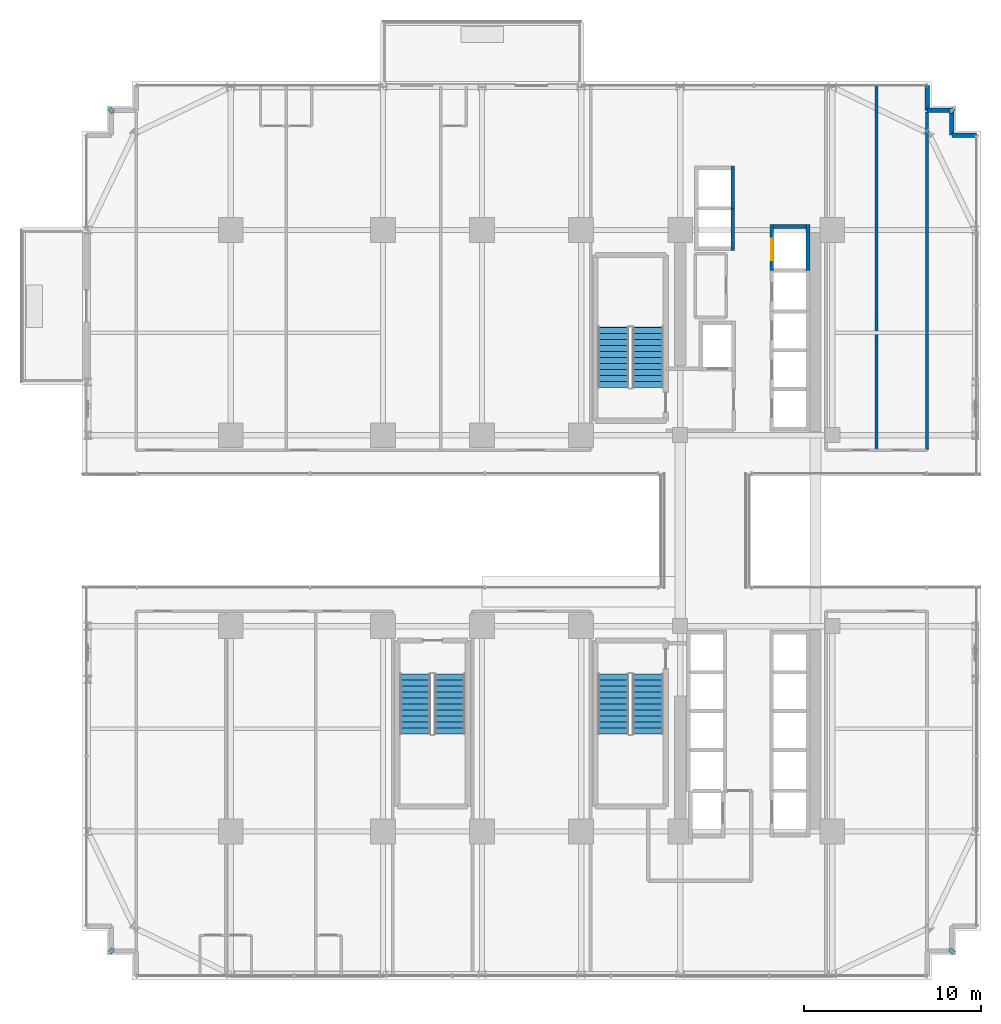
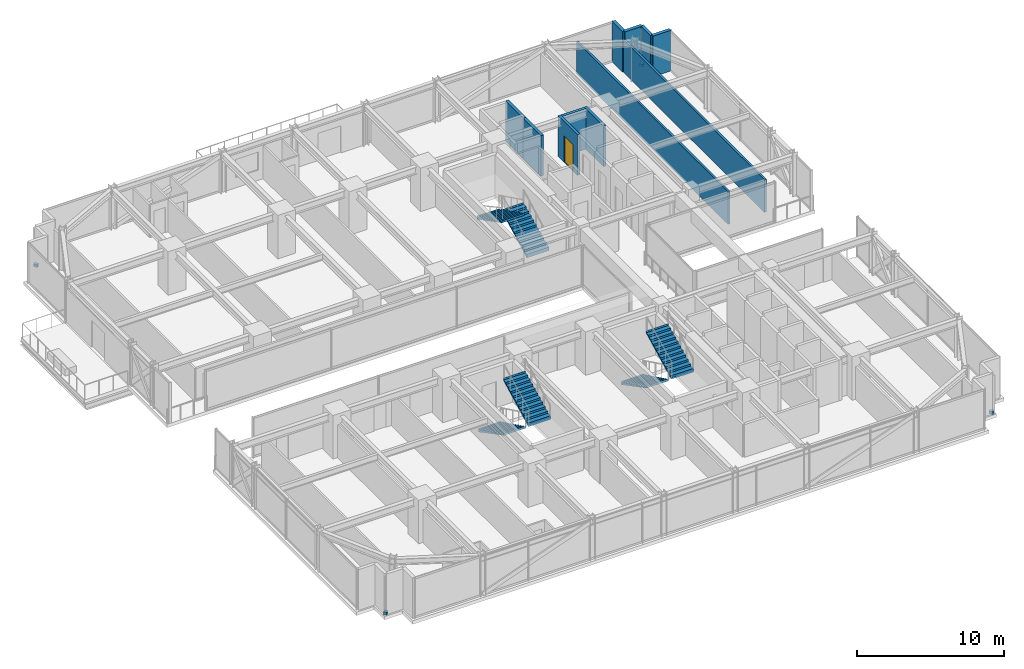
# One storey, part 39 of 43: 11 walls, 6 stair flights, 4 discrete accessories, 1 door, 1 opening, 3 elements without a shape of their own.
"""IFC4 building model written with IfcOpenShell, lengths in metres."""

from ifc_helpers import new_model, si_unit, direction, frame, frame_2d, origin, origin_2d, place, context, subcontext, project, spatial, polyline, rectangle, outline, extrude, source, transform, mapped, material, layer, layer_set, type_object, element, fill, aggregate, save


model = new_model("IFC4")

# Units and contexts
model_context = context("Model", 3, precision=1e-05, world=origin(), true_north=direction((0.0, 1.0)))
body_context = subcontext(model_context, "Body", "Model", "MODEL_VIEW")
ifc_project = project(units=[si_unit("LENGTHUNIT", "METRE"), si_unit("AREAUNIT", "SQUARE_METRE"), si_unit("VOLUMEUNIT", "CUBIC_METRE"), si_unit("PLANEANGLEUNIT", "RADIAN"), si_unit("MASSUNIT", "GRAM", prefix="KILO")], contexts=[model_context])

# Site, building, storey
site_placement = place(None, origin())
site = spatial("IfcSite", under=ifc_project, at=site_placement, CompositionType="ELEMENT")
building_placement = place(site_placement, origin())
building = spatial("IfcBuilding", under=site, at=building_placement, Name="Nahalor Promenade Grand Hotel", CompositionType="ELEMENT")
storey_placement = place(building_placement, frame((0.0, 0.0, 47.0)))
storey = spatial("IfcBuildingStorey", under=building, at=storey_placement, Name="L10", CompositionType="ELEMENT", Elevation=47.0)

# Walls
ifc_material_1 = material(Name="Concrete B-50 (C40/50)", Category="concrete")
ifc_layer_1 = layer(ifc_material_1, 0.219970703125)
ifc_layer_set_1 = layer_set([ifc_layer_1], Name="Concrete B-50 (C40/50)")
wall_type_1 = type_object("IfcWallType", Name="Wall-LiftShaft-220", PredefinedType="SHEAR", material=ifc_layer_set_1)
shared_shape_1 = source(origin(), body_context, "Body", "SweptSolid", [
    extrude(rectangle(XDim=1.820068359375, YDim=0.219970703125, at=frame_2d((0.91015625, 0.0))), origin(), (0.0, 0.0, 1.0), 3.3701171875),
])
wall_1_placement = place(storey_placement, frame((13.68994140625, 17.199951171875, 0.0), z_axis=(0.0, 0.0, 1.0), x_axis=(1.0, 0.0, 0.0)))
element("IfcWall", 1, at=wall_1_placement, inside=storey, type_object=wall_type_1, Name="L10 Lift SV1 Hoistway Wall N", PredefinedType="SHEAR", context=body_context, shape_type="MappedRepresentation", body=[
    mapped(shared_shape_1, transform((0.0, 0.0, 0.0), scale=1.0)),
])
shared_shape_2 = source(origin(), body_context, "Body", "SweptSolid", [
    extrude(rectangle(XDim=2.385009765625, YDim=0.219970703125, at=frame_2d((1.1923828125, 0.0))), origin(), (0.0, 0.0, 1.0), 3.3701171875),
])
for number, where, z_axis, x_axis, name in (
    (2, (11.3701171875, 15.840087890625, 0.0), (0.0, 0.0, 1.0), (0.0, 1.0, 0.0), "L10 Lift OB1 Hoistway Wall E"),
    (3, (11.3701171875, 18.22509765625, 0.0), (0.0, 0.0, 1.0), (0.0, 1.0, 0.0), "L10 Lift OB2 Hoistway Wall E"),
):
    element("IfcWall", number, at=place(storey_placement, frame(where, z_axis=z_axis, x_axis=x_axis)), inside=storey, type_object=wall_type_1, Name=name, PredefinedType="SHEAR", context=body_context, shape_type="MappedRepresentation", body=[
        mapped(shared_shape_2, transform((0.0, 0.0, 0.0), scale=1.0)),
    ])

# Wall, opening, door
shared_shape_3 = source(origin(), body_context, "Body", "SweptSolid", [
    extrude(rectangle(XDim=2.610107421875, YDim=0.219970703125, at=frame_2d((1.30517578125, 0.0))), origin(), (0.0, 0.0, 1.0), 3.3701171875),
])
wall_2_placement = place(storey_placement, frame((13.580078125, 14.699951171875, 0.0), z_axis=(0.0, 0.0, 1.0), x_axis=(0.0, 1.0, 0.0)))
wall_2 = element("IfcWall", 4, at=wall_2_placement, inside=storey, type_object=wall_type_1, Name="L10 Lift SV1 Hoistway Wall W", PredefinedType="SHEAR", context=body_context, shape_type="MappedRepresentation", body=[
    mapped(shared_shape_3, transform((0.0, 0.0, 0.0), scale=1.0)),
])
opening_placement = place(wall_2_placement, frame((0.60009765625, 0.0, 0.0)))
opening = element("IfcOpeningElement", 5, at=opening_placement, cuts=wall_2, Name="Opening LD-03", PredefinedType="OPENING", context=body_context, shape_type="SweptSolid", body=[
    extrude(rectangle(XDim=1.199951171875, YDim=2.199951171875, at=frame_2d((0.60009765625, 1.10009765625))), frame((0.0, 0.119873046875, 0.0), z_axis=(0.0, -1.0, 0.0), x_axis=(1.0, 0.0, 0.0)), (0.0, 0.0, 1.0), 0.239990234375),
])
ifc_material_2 = material(Name="Steel S355JR", Category="steel")
door_type = type_object("IfcDoorType", Name="Door-LiftService-1200", OperationType="DOUBLE_DOOR_SLIDING", PredefinedType="DOOR", material=ifc_material_2)
shared_shape_4 = source(origin(), body_context, "Body", "SweptSolid", [
    extrude(rectangle(XDim=1.199951171875, YDim=2.199951171875, at=frame_2d((0.60009765625, 1.10009765625))), frame((0.0, 0.02490234375, 0.0), z_axis=(0.0, -1.0, 0.0), x_axis=(1.0, 0.0, 0.0)), (0.0, 0.0, 1.0), 0.050048828125),
])
door_placement = place(opening_placement, origin())
door = element("IfcDoor", 6, at=door_placement, inside=storey, type_object=door_type, Name="DR-LIFT-SV1-L10", OperationType="DOUBLE_DOOR_SLIDING", OverallHeight=2.199951171875, OverallWidth=1.199951171875, PredefinedType="DOOR", context=body_context, shape_type="MappedRepresentation", body=[
    mapped(shared_shape_4, transform((0.0, 0.0, 0.0), scale=1.0)),
])
fill(opening, door)

# Walls
wall_3_placement = place(storey_placement, frame((15.6201171875, 14.699951171875, 0.0), z_axis=(0.0, 0.0, 1.0), x_axis=(0.0, 1.0, 0.0)))
element("IfcWall", 7, at=wall_3_placement, inside=storey, type_object=wall_type_1, Name="L10 Lift SV1 Hoistway Wall E", PredefinedType="SHEAR", context=body_context, shape_type="MappedRepresentation", body=[
    mapped(shared_shape_3, transform((0.0, 0.0, 0.0), scale=1.0)),
])
ifc_material_3 = material(Name="Concrete B-40 (C32/40)", Category="concrete")
ifc_layer_2 = layer(ifc_material_3, 0.25)
ifc_layer_set_2 = layer_set([ifc_layer_2], Name="Concrete B-40 (C32/40)")
wall_type_2 = type_object("IfcWallType", Name="Wall-BronzePier-250", PredefinedType="STANDARD", material=ifc_layer_set_2)
shared_shape_5 = source(origin(), body_context, "Body", "SweptSolid", [
    extrude(rectangle(XDim=1.39990234375, YDim=0.25, at=frame_2d((0.699951171875, 0.0))), origin(), (0.0, 0.0, 1.0), 3.3701171875),
])
for number, where, z_axis, x_axis, name in (
    (8, (23.760009765625, 22.360107421875, 0.0), (0.0, 0.0, 1.0), (1.0, 0.0, 0.0), "W-L10-SR-05"),
    (9, (23.760009765625, 22.360107421875, 0.0), (0.0, 0.0, 1.0), (0.0, 1.0, 0.0), "W-L10-SR-06"),
    (10, (22.360107421875, 23.760009765625, 0.0), (0.0, 0.0, 1.0), (1.0, 0.0, 0.0), "W-L10-SR-07"),
    (11, (22.360107421875, 23.760009765625, 0.0), (0.0, 0.0, 1.0), (0.0, 1.0, 0.0), "W-L10-SR-08"),
):
    element("IfcWall", number, at=place(storey_placement, frame(where, z_axis=z_axis, x_axis=x_axis)), inside=storey, type_object=wall_type_2, Name=name, PredefinedType="STANDARD", context=body_context, shape_type="MappedRepresentation", body=[
        mapped(shared_shape_5, transform((0.0, 0.0, 0.0), scale=1.0)),
    ])
ifc_material_4 = material(Name="Acoustic Mineral Gypsum", Category="gypsum")
ifc_layer_3 = layer(ifc_material_4, 0.159912109375)
ifc_layer_set_3 = layer_set([ifc_layer_3], Name="Acoustic Mineral Gypsum")
wall_type_3 = type_object("IfcWallType", Name="Wall-PartCorridor-160", PredefinedType="PARTITIONING", material=ifc_layer_set_3)
shared_shape_6 = source(origin(), body_context, "Body", "SweptSolid", [
    extrude(rectangle(XDim=20.550048828125, YDim=0.159912109375, at=frame_2d((10.27490234375, 0.0))), origin(), (0.0, 0.0, 1.0), 2.7099609375),
])
wall_4_placement = place(storey_placement, frame((19.5048828125, 4.550048828125, 0.0), z_axis=(0.0, 0.0, 1.0), x_axis=(0.0, 1.0, 0.0)))
element("IfcWall", 12, at=wall_4_placement, inside=storey, type_object=wall_type_3, Name="W-L10-ENE1-E", PredefinedType="PARTITIONING", context=body_context, shape_type="MappedRepresentation", body=[
    mapped(shared_shape_6, transform((0.0, 0.0, 0.0), scale=1.0)),
])
shared_shape_7 = source(origin(), body_context, "Body", "SweptSolid", [
    extrude(rectangle(XDim=19.1298828125, YDim=0.159912109375, at=frame_2d((9.56494140625, 0.0))), origin(), (0.0, 0.0, 1.0), 2.7099609375),
])
wall_5_placement = place(storey_placement, frame((22.360107421875, 4.550048828125, 0.0), z_axis=(0.0, 0.0, 1.0), x_axis=(0.0, 1.0, 0.0)))
element("IfcWall", 13, at=wall_5_placement, inside=storey, type_object=wall_type_3, Name="W-L10-ENE2-E", PredefinedType="PARTITIONING", context=body_context, shape_type="MappedRepresentation", body=[
    mapped(shared_shape_7, transform((0.0, 0.0, 0.0), scale=1.0)),
])

# Stair, stair flights
stair_type_1 = type_object("IfcStairType", Name="Stair-ST1", PredefinedType="HALF_TURN_STAIR", material=ifc_material_1)
stair_1_placement = place(storey_placement, origin())
stair_1 = element("IfcStair", 14, at=stair_1_placement, inside=storey, type_object=stair_type_1, Name="L10 ST1", PredefinedType="HALF_TURN_STAIR")
ifc_layer_4 = layer(ifc_material_1, 0.179931640625)
ifc_layer_set_4 = layer_set([ifc_layer_4], Name="Concrete B-50 (C40/50)")
stair_flight_type_1 = type_object("IfcStairFlightType", Name="Flight-ST1", PredefinedType="STRAIGHT", material=ifc_layer_set_4)
shared_shape_8 = source(origin(), body_context, "Body", "SweptSolid", [
    extrude(outline(polyline([(-0.00390625, -0.1201171875), (-0.00390625, 0.0), (0.0, 0.0), (0.0, 0.166015625), (0.340087890625, 0.166015625), (0.340087890625, 0.331787109375), (0.679931640625, 0.331787109375), (0.679931640625, 0.497802734375), (1.02001953125, 0.497802734375), (1.02001953125, 0.66357421875), (1.360107421875, 0.66357421875), (1.360107421875, 0.82958984375), (1.699951171875, 0.82958984375), (1.699951171875, 0.995361328125), (2.0400390625, 0.995361328125), (2.0400390625, 1.161376953125), (2.3798828125, 1.161376953125), (2.3798828125, 1.327392578125), (2.719970703125, 1.327392578125), (2.719970703125, 1.4931640625), (3.06005859375, 1.4931640625), (3.06005859375, 1.6591796875), (3.39990234375, 1.6591796875), (3.39990234375, 1.824951171875), (3.404052734375, 1.824951171875), (3.404052734375, 1.64501953125), (0.02001953125, -0.1201171875), (-0.00390625, -0.1201171875)])), frame((0.0, 0.875, 0.0), z_axis=(0.0, -1.0, 0.0), x_axis=(1.0, 0.0, 0.0)), (0.0, 0.0, 1.0), 1.75),
])
stair_flight_1_placement = place(storey_placement, frame((6.574951171875, 8.10009765625, 0.0), z_axis=(0.0, 0.0, 1.0), x_axis=(0.0, 1.0, 0.0)))
stair_flight_1 = element("IfcStairFlight", 15, at=stair_flight_1_placement, type_object=stair_flight_type_1, Name="ST1 flight 1", NumberOfRisers=11, NumberOfTreads=10, PredefinedType="STRAIGHT", RiserHeight=0.165909091, TreadLength=0.34, context=body_context, shape_type="MappedRepresentation", body=[
    mapped(shared_shape_8, transform((0.0, 0.0, 0.0), scale=1.0)),
])
stair_flight_2_placement = place(storey_placement, frame((4.625, 11.5, 1.824951171875), z_axis=(0.0, 0.0, 1.0), x_axis=(0.0, -1.0, 0.0)))
stair_flight_2 = element("IfcStairFlight", 16, at=stair_flight_2_placement, type_object=stair_flight_type_1, Name="ST1 flight 2", NumberOfRisers=11, NumberOfTreads=10, PredefinedType="STRAIGHT", RiserHeight=0.165909091, TreadLength=0.34, context=body_context, shape_type="MappedRepresentation", body=[
    mapped(shared_shape_8, transform((0.0, 0.0, 0.0), scale=1.0)),
])
aggregate(stair_1, [stair_flight_1, stair_flight_2])

stair_type_2 = type_object("IfcStairType", Name="Stair-ST2", PredefinedType="HALF_TURN_STAIR", material=ifc_material_1)
stair_2_placement = place(storey_placement, origin())
stair_2 = element("IfcStair", 17, at=stair_2_placement, inside=storey, type_object=stair_type_2, Name="L10 ST2", PredefinedType="HALF_TURN_STAIR")
ifc_layer_5 = layer(ifc_material_1, 0.18994140625)
ifc_layer_set_5 = layer_set([ifc_layer_5], Name="Concrete B-50 (C40/50)")
stair_flight_type_2 = type_object("IfcStairFlightType", Name="Flight-ST2", PredefinedType="STRAIGHT", material=ifc_layer_set_5)
shared_shape_9 = source(origin(), body_context, "Body", "SweptSolid", [
    extrude(outline(polyline([(-0.00390625, -0.1201171875), (-0.00390625, 0.0), (0.0, 0.0), (0.0, 0.166015625), (0.340087890625, 0.166015625), (0.340087890625, 0.331787109375), (0.679931640625, 0.331787109375), (0.679931640625, 0.497802734375), (1.02001953125, 0.497802734375), (1.02001953125, 0.66357421875), (1.360107421875, 0.66357421875), (1.360107421875, 0.82958984375), (1.699951171875, 0.82958984375), (1.699951171875, 0.995361328125), (2.0400390625, 0.995361328125), (2.0400390625, 1.161376953125), (2.3798828125, 1.161376953125), (2.3798828125, 1.327392578125), (2.719970703125, 1.327392578125), (2.719970703125, 1.4931640625), (3.06005859375, 1.4931640625), (3.06005859375, 1.6591796875), (3.39990234375, 1.6591796875), (3.39990234375, 1.824951171875), (3.404052734375, 1.824951171875), (3.404052734375, 1.64501953125), (0.02001953125, -0.1201171875), (-0.00390625, -0.1201171875)])), frame((0.0, 0.875, 0.0), z_axis=(0.0, -1.0, 0.0), x_axis=(1.0, 0.0, 0.0)), (0.0, 0.0, 1.0), 1.75),
])
stair_flight_3_placement = place(storey_placement, frame((4.625, -8.10009765625, 0.0), z_axis=(0.0, 0.0, 1.0), x_axis=(0.0, -1.0, 0.0)))
stair_flight_3 = element("IfcStairFlight", 18, at=stair_flight_3_placement, type_object=stair_flight_type_2, Name="ST2 flight 1", NumberOfRisers=11, NumberOfTreads=10, PredefinedType="STRAIGHT", RiserHeight=0.165909091, TreadLength=0.34, context=body_context, shape_type="MappedRepresentation", body=[
    mapped(shared_shape_9, transform((0.0, 0.0, 0.0), scale=1.0)),
])
stair_flight_4_placement = place(storey_placement, frame((6.574951171875, -11.5, 1.824951171875), z_axis=(0.0, 0.0, 1.0), x_axis=(0.0, 1.0, 0.0)))
stair_flight_4 = element("IfcStairFlight", 19, at=stair_flight_4_placement, type_object=stair_flight_type_2, Name="ST2 flight 2", NumberOfRisers=11, NumberOfTreads=10, PredefinedType="STRAIGHT", RiserHeight=0.165909091, TreadLength=0.34, context=body_context, shape_type="MappedRepresentation", body=[
    mapped(shared_shape_9, transform((0.0, 0.0, 0.0), scale=1.0)),
])
aggregate(stair_2, [stair_flight_3, stair_flight_4])

stair_type_3 = type_object("IfcStairType", Name="Stair-ST3", PredefinedType="HALF_TURN_STAIR", material=ifc_material_1)
stair_3_placement = place(storey_placement, origin())
stair_3 = element("IfcStair", 20, at=stair_3_placement, inside=storey, type_object=stair_type_3, Name="L10 ST3", PredefinedType="HALF_TURN_STAIR")
ifc_layer_6 = layer(ifc_material_1, 0.199951171875)
ifc_layer_set_6 = layer_set([ifc_layer_6], Name="Concrete B-50 (C40/50)")
stair_flight_type_3 = type_object("IfcStairFlightType", Name="Flight-ST3", PredefinedType="STRAIGHT", material=ifc_layer_set_6)
shared_shape_10 = source(origin(), body_context, "Body", "SweptSolid", [
    extrude(outline(polyline([(-0.00390625, -0.1201171875), (-0.00390625, 0.0), (0.0, 0.0), (0.0, 0.166015625), (0.340087890625, 0.166015625), (0.340087890625, 0.331787109375), (0.679931640625, 0.331787109375), (0.679931640625, 0.497802734375), (1.02001953125, 0.497802734375), (1.02001953125, 0.66357421875), (1.360107421875, 0.66357421875), (1.360107421875, 0.82958984375), (1.699951171875, 0.82958984375), (1.699951171875, 0.995361328125), (2.0400390625, 0.995361328125), (2.0400390625, 1.161376953125), (2.3798828125, 1.161376953125), (2.3798828125, 1.327392578125), (2.719970703125, 1.327392578125), (2.719970703125, 1.4931640625), (3.06005859375, 1.4931640625), (3.06005859375, 1.6591796875), (3.39990234375, 1.6591796875), (3.39990234375, 1.824951171875), (3.404052734375, 1.824951171875), (3.404052734375, 1.64501953125), (0.02001953125, -0.1201171875), (-0.00390625, -0.1201171875)])), frame((0.0, 0.875, 0.0), z_axis=(0.0, -1.0, 0.0), x_axis=(1.0, 0.0, 0.0)), (0.0, 0.0, 1.0), 1.75),
])
stair_flight_5_placement = place(storey_placement, frame((-6.574951171875, -8.10009765625, 0.0), z_axis=(0.0, 0.0, 1.0), x_axis=(0.0, -1.0, 0.0)))
stair_flight_5 = element("IfcStairFlight", 21, at=stair_flight_5_placement, type_object=stair_flight_type_3, Name="ST3 flight 1", NumberOfRisers=11, NumberOfTreads=10, PredefinedType="STRAIGHT", RiserHeight=0.165909091, TreadLength=0.34, context=body_context, shape_type="MappedRepresentation", body=[
    mapped(shared_shape_10, transform((0.0, 0.0, 0.0), scale=1.0)),
])
stair_flight_6_placement = place(storey_placement, frame((-4.625, -11.5, 1.824951171875), z_axis=(0.0, 0.0, 1.0), x_axis=(0.0, 1.0, 0.0)))
stair_flight_6 = element("IfcStairFlight", 22, at=stair_flight_6_placement, type_object=stair_flight_type_3, Name="ST3 flight 2", NumberOfRisers=11, NumberOfTreads=10, PredefinedType="STRAIGHT", RiserHeight=0.165909091, TreadLength=0.34, context=body_context, shape_type="MappedRepresentation", body=[
    mapped(shared_shape_10, transform((0.0, 0.0, 0.0), scale=1.0)),
])
aggregate(stair_3, [stair_flight_5, stair_flight_6])

# Discrete accessories
discrete_accessory_type = type_object("IfcDiscreteAccessoryType", Name="Bracket-FacadeCleat-Bronze", PredefinedType="BRACKET", material=ifc_material_2)
shared_shape_11 = source(origin(), body_context, "Body", "SweptSolid", [
    extrude(rectangle(XDim=0.300048828125, YDim=0.239990234375, at=origin_2d()), origin(), (0.0, 0.0, 1.0), 0.219970703125),
])
for number, where, z_axis, x_axis, name in (
    (23, (-23.760009765625, -23.760009765625, 0.0), (0.0, 0.0, 1.0), (0.707106781187, 0.707106781187, 0.0), "BK-L10-SW"),
    (24, (23.760009765625, -23.760009765625, 0.0), (0.0, 0.0, 1.0), (-0.707106781187, 0.707106781187, 0.0), "BK-L10-SE"),
    (25, (23.760009765625, 23.760009765625, 0.0), (0.0, 0.0, 1.0), (0.707106781187, 0.707106781187, 0.0), "BK-L10-NE"),
    (26, (-23.760009765625, 23.760009765625, 0.0), (0.0, 0.0, 1.0), (-0.707106781187, 0.707106781187, 0.0), "BK-L10-NW"),
):
    element("IfcDiscreteAccessory", number, at=place(storey_placement, frame(where, z_axis=z_axis, x_axis=x_axis)), inside=storey, type_object=discrete_accessory_type, Name=name, PredefinedType="BRACKET", context=body_context, shape_type="MappedRepresentation", body=[
        mapped(shared_shape_11, transform((0.0, 0.0, 0.0), scale=1.0)),
    ])

save(model, "model.ifc")
